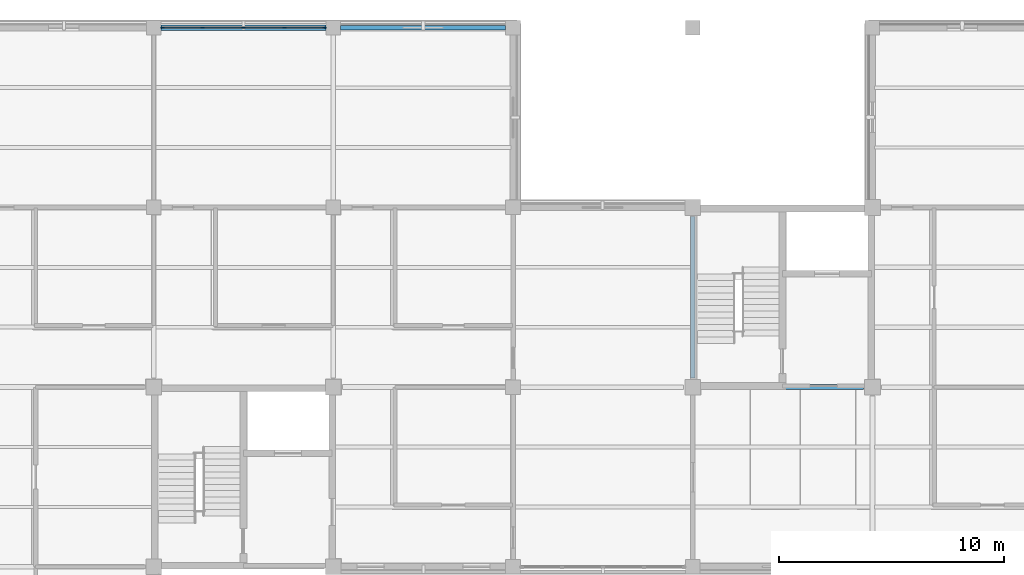
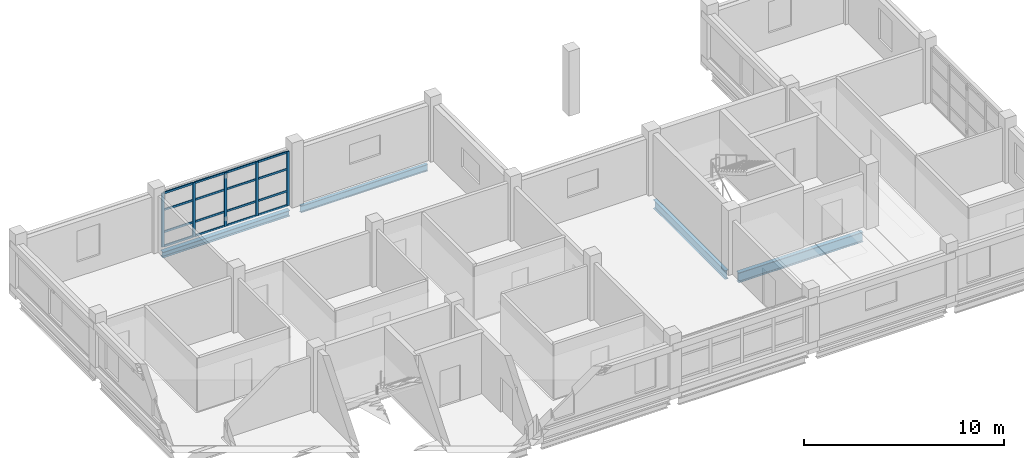
# One storey, part 32 of 107: 21 members, 4 beams, 1 element without a shape of its own.
"""IFC4 building model written with IfcOpenShell, lengths in metres."""

from ifc_helpers import new_model, si_unit, derived_unit, direction, frame, origin, origin_2d, place, context, subcontext, project, spatial, rectangle, i_section, extrude, material, layer, layer_set, material_profile, profile_set, type_object, element, aggregate, save


model = new_model("IFC4")

# Units and contexts
model_context = context("Model", 3, precision=1e-05, world=origin(), true_north=direction((0.0, 1.0)))
body_context = subcontext(model_context, "Body", "Model", "MODEL_VIEW")
ifc_project = project(units=[si_unit("LENGTHUNIT", "METRE"), si_unit("AREAUNIT", "SQUARE_METRE"), si_unit("VOLUMEUNIT", "CUBIC_METRE"), si_unit("PLANEANGLEUNIT", "RADIAN"), si_unit("MASSUNIT", "GRAM", prefix="KILO"), derived_unit("THERMALTRANSMITTANCEUNIT", [(si_unit("MASSUNIT", "GRAM", prefix="KILO"), 1), (si_unit("TIMEUNIT", "SECOND"), -3), (si_unit("THERMODYNAMICTEMPERATUREUNIT", "KELVIN"), -1)])], contexts=[model_context])

# Site, building, storey
site_placement = place(None, origin())
site = spatial("IfcSite", under=ifc_project, at=site_placement, CompositionType="ELEMENT")
building_placement = place(site_placement, origin())
building = spatial("IfcBuilding", under=site, at=building_placement, Name="Veyamyaing Civic Hall", CompositionType="ELEMENT")
storey_placement = place(building_placement, frame((0.0, 0.0, 13.860107421875)))
storey = spatial("IfcBuildingStorey", under=building, at=storey_placement, Name="L03", CompositionType="ELEMENT", Elevation=13.860107421875)

# Beams
ifc_material_1 = material(Name="Steel ASTM A992", Category="steel")
ifc_material_profile_1 = material_profile(ifc_material_1, i_section(OverallWidth=0.22802734375, OverallDepth=0.60791015625, WebThickness=0.01123046875, FlangeThickness=0.017333984375, FilletRadius=0.012939453125, at=origin_2d()), Name="W610X113")
ifc_profile_set_1 = profile_set([ifc_material_profile_1], Name="Steel ASTM A992")
beam_type_1 = type_object("IfcBeamType", Name="B-06", PredefinedType="BEAM", material=ifc_profile_set_1)
beam_1_placement = place(storey_placement, frame((32.39990234375, 96.0, -0.55908203125), z_axis=(1.0, 0.0, 0.0), x_axis=(0.0, 1.0, 0.0)))
element("IfcBeam", 1, at=beam_1_placement, inside=storey, type_object=beam_type_1, Name="Girder B-06 L03 Grid N 5-6", PredefinedType="BEAM", context=body_context, shape_type="SweptSolid", body=[
    extrude(i_section(OverallWidth=0.22802734375, OverallDepth=0.60791015625, WebThickness=0.01123046875, FlangeThickness=0.017333984375, FilletRadius=0.012939453125, at=origin_2d()), origin(), (0.0, 0.0, 1.0), 7.2001953125),
])
ifc_material_profile_2 = material_profile(ifc_material_1, i_section(OverallWidth=0.208984375, OverallDepth=0.532958984375, WebThickness=0.01025390625, FlangeThickness=0.015625, FilletRadius=0.011962890625, at=origin_2d()), Name="W530X92")
ifc_profile_set_2 = profile_set([ifc_material_profile_2], Name="Steel ASTM A992")
beam_type_2 = type_object("IfcBeamType", Name="B-07", PredefinedType="BEAM", material=ifc_profile_set_2)
beam_2_placement = place(storey_placement, frame((32.0, 96.39990234375, -0.521728515625), z_axis=(0.0, 1.0, 0.0), x_axis=(-1.0, 0.0, 0.0)))
element("IfcBeam", 2, at=beam_2_placement, inside=storey, type_object=beam_type_2, Name="Girder B-07 L03 Grid 5 N-P", PredefinedType="BEAM", context=body_context, shape_type="SweptSolid", body=[
    extrude(i_section(OverallWidth=0.208984375, OverallDepth=0.532958984375, WebThickness=0.01025390625, FlangeThickness=0.015625, FilletRadius=0.011962890625, at=origin_2d()), origin(), (0.0, 0.0, 1.0), 7.2001953125),
])
ifc_material_profile_3 = material_profile(ifc_material_1, i_section(OverallWidth=0.179931640625, OverallDepth=0.4130859375, WebThickness=0.009765625, FlangeThickness=0.01611328125, FilletRadius=0.010009765625, at=origin_2d()), Name="W410X74")
ifc_profile_set_3 = profile_set([ifc_material_profile_3], Name="Steel ASTM A992")
beam_type_3 = type_object("IfcBeamType", Name="B-10", PredefinedType="SPANDREL", material=ifc_profile_set_3)
beam_3_placement = place(storey_placement, frame((16.324951171875, 112.0, -0.461669921875), z_axis=(1.0, 0.0, 0.0), x_axis=(0.0, 1.0, 0.0)))
element("IfcBeam", 3, at=beam_3_placement, inside=storey, type_object=beam_type_3, Name="Girder B-10 L03 Grid Q 3-4", PredefinedType="SPANDREL", context=body_context, shape_type="SweptSolid", body=[
    extrude(i_section(OverallWidth=0.179931640625, OverallDepth=0.4130859375, WebThickness=0.009765625, FlangeThickness=0.01611328125, FilletRadius=0.010009765625, at=origin_2d()), origin(), (0.0, 0.0, 1.0), 7.35009765625),
])
ifc_material_profile_4 = material_profile(ifc_material_1, i_section(OverallWidth=0.25390625, OverallDepth=0.35302734375, WebThickness=0.009521484375, FlangeThickness=0.016357421875, FilletRadius=0.011962890625, at=origin_2d()), Name="W360X91")
ifc_profile_set_4 = profile_set([ifc_material_profile_4], Name="Steel ASTM A992")
beam_type_4 = type_object("IfcBeamType", Name="B-20", PredefinedType="SPANDREL", material=ifc_profile_set_4)
beam_4_placement = place(storey_placement, frame((8.324951171875, 112.0, -0.431640625), z_axis=(1.0, 0.0, 0.0), x_axis=(0.0, 1.0, 0.0)))
element("IfcBeam", 4, at=beam_4_placement, inside=storey, type_object=beam_type_4, Name="Girder B-20 L03 Grid Q 2-3", PredefinedType="SPANDREL", context=body_context, shape_type="SweptSolid", body=[
    extrude(i_section(OverallWidth=0.25390625, OverallDepth=0.35302734375, WebThickness=0.009521484375, FlangeThickness=0.016357421875, FilletRadius=0.011962890625, at=origin_2d()), origin(), (0.0, 0.0, 1.0), 7.35009765625),
])

# Curtain wall, members
ifc_material_2 = material(Name="Anodised aluminium 6063-T6", Category="aluminium")
ifc_layer = layer(ifc_material_2, 0.159912109375, Name="Anodised aluminium 6063-T6")
ifc_layer_set = layer_set([ifc_layer], Name="Anodised aluminium 6063-T6")
curtain_wall_type = type_object("IfcCurtainWallType", Name="CW-07", PredefinedType="NOTDEFINED", material=ifc_layer_set)
curtain_wall_placement = place(storey_placement, origin())
curtain_wall = element("IfcCurtainWall", 5, at=curtain_wall_placement, inside=storey, type_object=curtain_wall_type, Name="Unitized curtain wall CW-07 L03 N 2.14", PredefinedType="NOTDEFINED")
ifc_material_profile_5 = material_profile(ifc_material_2, rectangle(XDim=0.06494140625, YDim=0.159912109375, at=origin_2d()), Name="ALU-MUL-65X160")
ifc_profile_set_5 = profile_set([ifc_material_profile_5], Name="Anodised aluminium 6063-T6")
member_type_1 = type_object("IfcMemberType", Name="CWM-01", PredefinedType="MULLION", material=ifc_profile_set_5)
member_1_placement = place(storey_placement, frame((8.387451171875, 112.0, 0.0), z_axis=(0.0, 0.0, 1.0), x_axis=(0.0, 1.0, 0.0)))
member_1 = element("IfcMember", 6, at=member_1_placement, type_object=member_type_1, Name="CW-07 mullion 1", PredefinedType="MULLION", context=body_context, shape_type="SweptSolid", body=[
    extrude(rectangle(XDim=0.06494140625, YDim=0.159912109375, at=origin_2d()), origin(), (0.0, 0.0, 1.0), 3.303955078125),
])
member_2_placement = place(storey_placement, frame((10.177490234375, 112.0, 0.0), z_axis=(0.0, 0.0, 1.0), x_axis=(0.0, 1.0, 0.0)))
member_2 = element("IfcMember", 7, at=member_2_placement, type_object=member_type_1, Name="CW-07 mullion 2", PredefinedType="MULLION", context=body_context, shape_type="SweptSolid", body=[
    extrude(rectangle(XDim=0.06494140625, YDim=0.159912109375, at=origin_2d()), origin(), (0.0, 0.0, 1.0), 3.303955078125),
])
member_3_placement = place(storey_placement, frame((12.0, 112.0, 0.0), z_axis=(0.0, 0.0, 1.0), x_axis=(0.0, 1.0, 0.0)))
member_3 = element("IfcMember", 8, at=member_3_placement, type_object=member_type_1, Name="CW-07 mullion 3", PredefinedType="MULLION", context=body_context, shape_type="SweptSolid", body=[
    extrude(rectangle(XDim=0.06494140625, YDim=0.159912109375, at=origin_2d()), origin(), (0.0, 0.0, 1.0), 3.303955078125),
])
member_4_placement = place(storey_placement, frame((13.822509765625, 112.0, 0.0), z_axis=(0.0, 0.0, 1.0), x_axis=(0.0, 1.0, 0.0)))
member_4 = element("IfcMember", 9, at=member_4_placement, type_object=member_type_1, Name="CW-07 mullion 4", PredefinedType="MULLION", context=body_context, shape_type="SweptSolid", body=[
    extrude(rectangle(XDim=0.06494140625, YDim=0.159912109375, at=origin_2d()), origin(), (0.0, 0.0, 1.0), 3.303955078125),
])
member_5_placement = place(storey_placement, frame((15.612548828125, 112.0, 0.0), z_axis=(0.0, 0.0, 1.0), x_axis=(0.0, 1.0, 0.0)))
member_5 = element("IfcMember", 10, at=member_5_placement, type_object=member_type_1, Name="CW-07 mullion 5", PredefinedType="MULLION", context=body_context, shape_type="SweptSolid", body=[
    extrude(rectangle(XDim=0.06494140625, YDim=0.159912109375, at=origin_2d()), origin(), (0.0, 0.0, 1.0), 3.303955078125),
])
ifc_material_profile_6 = material_profile(ifc_material_2, rectangle(XDim=0.06494140625, YDim=0.1201171875, at=origin_2d()), Name="ALU-TRN-65X120")
ifc_profile_set_6 = profile_set([ifc_material_profile_6], Name="Anodised aluminium 6063-T6")
member_type_2 = type_object("IfcMemberType", Name="CWT-01", PredefinedType="USERDEFINED", material=ifc_profile_set_6)
member_6_placement = place(storey_placement, frame((8.419921875, 112.0, 0.032470703125), z_axis=(1.0, 0.0, 0.0), x_axis=(0.0, 1.0, 0.0)))
member_6 = element("IfcMember", 11, at=member_6_placement, type_object=member_type_2, Name="CW-07 transom 1.1", ObjectType="TRANSOM", PredefinedType="USERDEFINED", context=body_context, shape_type="SweptSolid", body=[
    extrude(rectangle(XDim=0.06494140625, YDim=0.1201171875, at=origin_2d()), origin(), (0.0, 0.0, 1.0), 1.72509765625),
])
member_7_placement = place(storey_placement, frame((8.419921875, 112.0, 0.89990234375), z_axis=(1.0, 0.0, 0.0), x_axis=(0.0, 1.0, 0.0)))
member_7 = element("IfcMember", 12, at=member_7_placement, type_object=member_type_2, Name="CW-07 transom 1.2", ObjectType="TRANSOM", PredefinedType="USERDEFINED", context=body_context, shape_type="SweptSolid", body=[
    extrude(rectangle(XDim=0.06494140625, YDim=0.1201171875, at=origin_2d()), origin(), (0.0, 0.0, 1.0), 1.72509765625),
])
member_8_placement = place(storey_placement, frame((8.419921875, 112.0, 2.24658203125), z_axis=(1.0, 0.0, 0.0), x_axis=(0.0, 1.0, 0.0)))
member_8 = element("IfcMember", 13, at=member_8_placement, type_object=member_type_2, Name="CW-07 transom 1.3", ObjectType="TRANSOM", PredefinedType="USERDEFINED", context=body_context, shape_type="SweptSolid", body=[
    extrude(rectangle(XDim=0.06494140625, YDim=0.1201171875, at=origin_2d()), origin(), (0.0, 0.0, 1.0), 1.72509765625),
])
member_9_placement = place(storey_placement, frame((8.419921875, 112.0, 3.271484375), z_axis=(1.0, 0.0, 0.0), x_axis=(0.0, 1.0, 0.0)))
member_9 = element("IfcMember", 14, at=member_9_placement, type_object=member_type_2, Name="CW-07 transom 1.4", ObjectType="TRANSOM", PredefinedType="USERDEFINED", context=body_context, shape_type="SweptSolid", body=[
    extrude(rectangle(XDim=0.06494140625, YDim=0.1201171875, at=origin_2d()), origin(), (0.0, 0.0, 1.0), 1.72509765625),
])
member_10_placement = place(storey_placement, frame((10.2099609375, 112.0, 0.032470703125), z_axis=(1.0, 0.0, 0.0), x_axis=(0.0, 1.0, 0.0)))
member_10 = element("IfcMember", 15, at=member_10_placement, type_object=member_type_2, Name="CW-07 transom 2.1", ObjectType="TRANSOM", PredefinedType="USERDEFINED", context=body_context, shape_type="SweptSolid", body=[
    extrude(rectangle(XDim=0.06494140625, YDim=0.1201171875, at=origin_2d()), origin(), (0.0, 0.0, 1.0), 1.757568359375),
])
member_11_placement = place(storey_placement, frame((10.2099609375, 112.0, 0.89990234375), z_axis=(1.0, 0.0, 0.0), x_axis=(0.0, 1.0, 0.0)))
member_11 = element("IfcMember", 16, at=member_11_placement, type_object=member_type_2, Name="CW-07 transom 2.2", ObjectType="TRANSOM", PredefinedType="USERDEFINED", context=body_context, shape_type="SweptSolid", body=[
    extrude(rectangle(XDim=0.06494140625, YDim=0.1201171875, at=origin_2d()), origin(), (0.0, 0.0, 1.0), 1.757568359375),
])
member_12_placement = place(storey_placement, frame((10.2099609375, 112.0, 2.24658203125), z_axis=(1.0, 0.0, 0.0), x_axis=(0.0, 1.0, 0.0)))
member_12 = element("IfcMember", 17, at=member_12_placement, type_object=member_type_2, Name="CW-07 transom 2.3", ObjectType="TRANSOM", PredefinedType="USERDEFINED", context=body_context, shape_type="SweptSolid", body=[
    extrude(rectangle(XDim=0.06494140625, YDim=0.1201171875, at=origin_2d()), origin(), (0.0, 0.0, 1.0), 1.757568359375),
])
member_13_placement = place(storey_placement, frame((10.2099609375, 112.0, 3.271484375), z_axis=(1.0, 0.0, 0.0), x_axis=(0.0, 1.0, 0.0)))
member_13 = element("IfcMember", 18, at=member_13_placement, type_object=member_type_2, Name="CW-07 transom 2.4", ObjectType="TRANSOM", PredefinedType="USERDEFINED", context=body_context, shape_type="SweptSolid", body=[
    extrude(rectangle(XDim=0.06494140625, YDim=0.1201171875, at=origin_2d()), origin(), (0.0, 0.0, 1.0), 1.757568359375),
])
member_14_placement = place(storey_placement, frame((12.032470703125, 112.0, 0.032470703125), z_axis=(1.0, 0.0, 0.0), x_axis=(0.0, 1.0, 0.0)))
member_14 = element("IfcMember", 19, at=member_14_placement, type_object=member_type_2, Name="CW-07 transom 3.1", ObjectType="TRANSOM", PredefinedType="USERDEFINED", context=body_context, shape_type="SweptSolid", body=[
    extrude(rectangle(XDim=0.06494140625, YDim=0.1201171875, at=origin_2d()), origin(), (0.0, 0.0, 1.0), 1.757568359375),
])
member_15_placement = place(storey_placement, frame((12.032470703125, 112.0, 0.89990234375), z_axis=(1.0, 0.0, 0.0), x_axis=(0.0, 1.0, 0.0)))
member_15 = element("IfcMember", 20, at=member_15_placement, type_object=member_type_2, Name="CW-07 transom 3.2", ObjectType="TRANSOM", PredefinedType="USERDEFINED", context=body_context, shape_type="SweptSolid", body=[
    extrude(rectangle(XDim=0.06494140625, YDim=0.1201171875, at=origin_2d()), origin(), (0.0, 0.0, 1.0), 1.757568359375),
])
member_16_placement = place(storey_placement, frame((12.032470703125, 112.0, 2.24658203125), z_axis=(1.0, 0.0, 0.0), x_axis=(0.0, 1.0, 0.0)))
member_16 = element("IfcMember", 21, at=member_16_placement, type_object=member_type_2, Name="CW-07 transom 3.3", ObjectType="TRANSOM", PredefinedType="USERDEFINED", context=body_context, shape_type="SweptSolid", body=[
    extrude(rectangle(XDim=0.06494140625, YDim=0.1201171875, at=origin_2d()), origin(), (0.0, 0.0, 1.0), 1.757568359375),
])
member_17_placement = place(storey_placement, frame((12.032470703125, 112.0, 3.271484375), z_axis=(1.0, 0.0, 0.0), x_axis=(0.0, 1.0, 0.0)))
member_17 = element("IfcMember", 22, at=member_17_placement, type_object=member_type_2, Name="CW-07 transom 3.4", ObjectType="TRANSOM", PredefinedType="USERDEFINED", context=body_context, shape_type="SweptSolid", body=[
    extrude(rectangle(XDim=0.06494140625, YDim=0.1201171875, at=origin_2d()), origin(), (0.0, 0.0, 1.0), 1.757568359375),
])
member_18_placement = place(storey_placement, frame((13.85498046875, 112.0, 0.032470703125), z_axis=(1.0, 0.0, 0.0), x_axis=(0.0, 1.0, 0.0)))
member_18 = element("IfcMember", 23, at=member_18_placement, type_object=member_type_2, Name="CW-07 transom 4.1", ObjectType="TRANSOM", PredefinedType="USERDEFINED", context=body_context, shape_type="SweptSolid", body=[
    extrude(rectangle(XDim=0.06494140625, YDim=0.1201171875, at=origin_2d()), origin(), (0.0, 0.0, 1.0), 1.72509765625),
])
member_19_placement = place(storey_placement, frame((13.85498046875, 112.0, 0.89990234375), z_axis=(1.0, 0.0, 0.0), x_axis=(0.0, 1.0, 0.0)))
member_19 = element("IfcMember", 24, at=member_19_placement, type_object=member_type_2, Name="CW-07 transom 4.2", ObjectType="TRANSOM", PredefinedType="USERDEFINED", context=body_context, shape_type="SweptSolid", body=[
    extrude(rectangle(XDim=0.06494140625, YDim=0.1201171875, at=origin_2d()), origin(), (0.0, 0.0, 1.0), 1.72509765625),
])
member_20_placement = place(storey_placement, frame((13.85498046875, 112.0, 2.24658203125), z_axis=(1.0, 0.0, 0.0), x_axis=(0.0, 1.0, 0.0)))
member_20 = element("IfcMember", 25, at=member_20_placement, type_object=member_type_2, Name="CW-07 transom 4.3", ObjectType="TRANSOM", PredefinedType="USERDEFINED", context=body_context, shape_type="SweptSolid", body=[
    extrude(rectangle(XDim=0.06494140625, YDim=0.1201171875, at=origin_2d()), origin(), (0.0, 0.0, 1.0), 1.72509765625),
])
member_21_placement = place(storey_placement, frame((13.85498046875, 112.0, 3.271484375), z_axis=(1.0, 0.0, 0.0), x_axis=(0.0, 1.0, 0.0)))
member_21 = element("IfcMember", 26, at=member_21_placement, type_object=member_type_2, Name="CW-07 transom 4.4", ObjectType="TRANSOM", PredefinedType="USERDEFINED", context=body_context, shape_type="SweptSolid", body=[
    extrude(rectangle(XDim=0.06494140625, YDim=0.1201171875, at=origin_2d()), origin(), (0.0, 0.0, 1.0), 1.72509765625),
])
aggregate(curtain_wall, [member_1, member_2, member_3, member_4, member_5, member_6, member_7, member_8, member_9, member_10, member_11, member_12, member_13, member_14, member_15, member_16, member_17, member_18, member_19, member_20, member_21])

save(model, "model.ifc")
